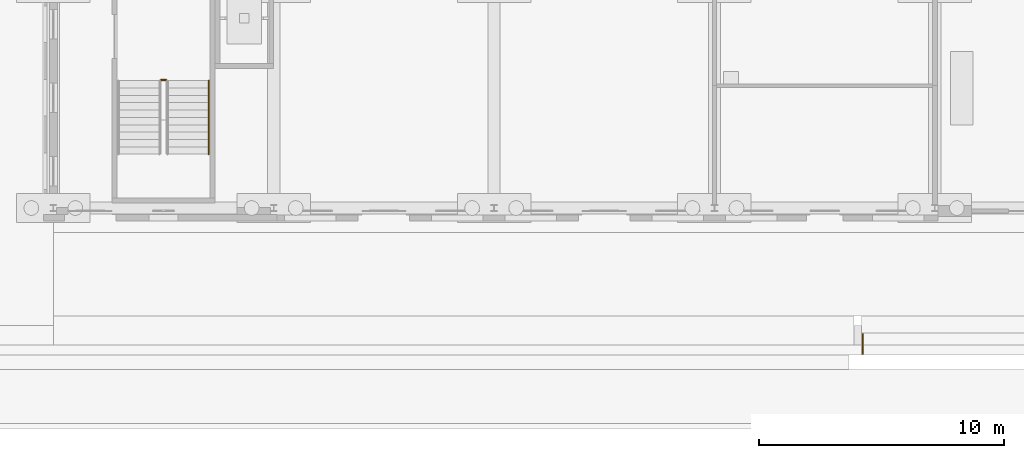
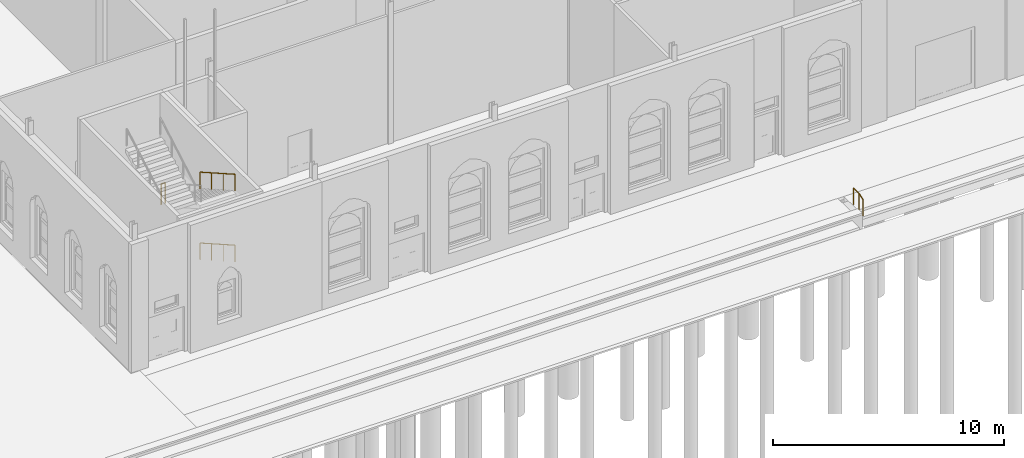
# One storey, part 175 of 250: 4 railings.
"""IFC4 building model written with IfcOpenShell, lengths in metres."""

from ifc_helpers import new_model, si_unit, direction, frame, origin, origin_2d, place, context, subcontext, project, spatial, circle, extrude, material, type_object, element, save


model = new_model("IFC4")

# Units and contexts
model_context = context("Model", 3, precision=1e-05, world=origin(), true_north=direction((0.0, 1.0)))
body_context = subcontext(model_context, "Body", "Model", "MODEL_VIEW")
ifc_project = project(units=[si_unit("LENGTHUNIT", "METRE"), si_unit("AREAUNIT", "SQUARE_METRE"), si_unit("VOLUMEUNIT", "CUBIC_METRE"), si_unit("PLANEANGLEUNIT", "RADIAN"), si_unit("MASSUNIT", "GRAM", prefix="KILO")], contexts=[model_context])

# Site, building, storey
site_placement = place(None, origin())
site = spatial("IfcSite", under=ifc_project, at=site_placement, CompositionType="ELEMENT")
building_placement = place(site_placement, origin())
building = spatial("IfcBuilding", under=site, at=building_placement, Name="Baradari Gate Terminus", CompositionType="ELEMENT")
storey_placement = place(building_placement, origin())
storey = spatial("IfcBuildingStorey", under=building, at=storey_placement, Name="L00", CompositionType="ELEMENT", Elevation=0.0)

# Railings
ifc_material_1 = material(Name="Stainless steel 1.4301", Category="steel")
railing_type_1 = type_object("IfcRailingType", Name="Guard GR-1 1100", PredefinedType="GUARDRAIL", material=ifc_material_1)
railing_1_placement = place(storey_placement, frame((67.39990234375, 14.22998046875, 3.75)))
element("IfcRailing", 1, at=railing_1_placement, inside=storey, type_object=railing_type_1, Name="Landing guard ST-SW1 L00", PredefinedType="GUARDRAIL", context=body_context, shape_type="SweptSolid", body=[
    extrude(circle(Radius=0.02392578125, at=origin_2d()), frame((0.0, 0.0, 1.076171875), z_axis=(1.0, 0.0, 0.0), x_axis=(0.0, 1.0, 0.0)), (0.0, 0.0, 1.0), 0.2001953125),
    extrude(circle(Radius=0.02099609375, at=origin_2d()), origin(), (0.0, 0.0, 1.0), 1.052001953125),
    extrude(circle(Radius=0.02099609375, at=origin_2d()), frame((0.2001953125, 0.0, 0.0)), (0.0, 0.0, 1.0), 1.052001953125),
])
ifc_material_2 = material(Name="Stainless steel 1.4301", Category="steel")
railing_type_2 = type_object("IfcRailingType", Name="Handrail HR-1 900", PredefinedType="HANDRAIL", material=ifc_material_2)
for number, where, name in (
    (2, (69.340087890625, 14.199951171875, 0.17041015625), "Handrail ST-SW1 L00 flight 1"),
    (3, (69.340087890625, 14.199951171875, 3.92041015625), "Handrail ST-SW1 L00 flight 3"),
):
    element("IfcRailing", number, at=place(storey_placement, frame(where)), inside=storey, type_object=railing_type_2, Name=name, PredefinedType="HANDRAIL", context=body_context, shape_type="SweptSolid", body=[
        extrude(circle(Radius=0.02392578125, at=origin_2d()), frame((0.0, 0.0, 0.8759765625), z_axis=(0.0, -0.869451031676, 0.494019132744), x_axis=(1.0, 0.0, 0.0)), (0.0, 0.0, 1.0), 3.450439453125),
        extrude(circle(Radius=0.02099609375, at=origin_2d()), origin(), (0.0, 0.0, 1.0), 0.851806640625),
        extrude(circle(Radius=0.02099609375, at=origin_2d()), frame((0.0, -1.0, 0.568115234375)), (0.0, 0.0, 1.0), 0.851806640625),
        extrude(circle(Radius=0.02099609375, at=origin_2d()), frame((0.0, -2.0, 1.136474609375)), (0.0, 0.0, 1.0), 0.851806640625),
        extrude(circle(Radius=0.02099609375, at=origin_2d()), frame((0.0, -3.0, 1.70458984375)), (0.0, 0.0, 1.0), 0.851806640625),
    ])
railing_2_placement = place(storey_placement, frame((96.06005859375, 3.050048828125, -0.11376953125)))
element("IfcRailing", 4, at=railing_2_placement, inside=storey, type_object=railing_type_2, Name="Handrail of South entrance gate steps 1", PredefinedType="HANDRAIL", context=body_context, shape_type="SweptSolid", body=[
    extrude(circle(Radius=0.02392578125, at=origin_2d()), frame((0.0, 0.0, 0.8759765625), z_axis=(0.0, 0.950980408871, 0.309251130868), x_axis=(-1.0, 0.0, 0.0)), (0.0, 0.0, 1.0), 0.367919921875),
    extrude(circle(Radius=0.02392578125, at=origin_2d()), frame((0.0, 0.349853515625, 0.98974609375), z_axis=(0.0, 1.0, 0.0), x_axis=(-1.0, 0.0, 0.0)), (0.0, 0.0, 1.0), 0.4501953125),
    extrude(circle(Radius=0.02099609375, at=origin_2d()), origin(), (0.0, 0.0, 1.0), 0.851806640625),
    extrude(circle(Radius=0.02099609375, at=origin_2d()), frame((0.0, 0.349853515625, 0.11376953125)), (0.0, 0.0, 1.0), 0.851806640625),
    extrude(circle(Radius=0.02099609375, at=origin_2d()), frame((0.0, 0.800048828125, 0.11376953125)), (0.0, 0.0, 1.0), 0.851806640625),
])

save(model, "model.ifc")
